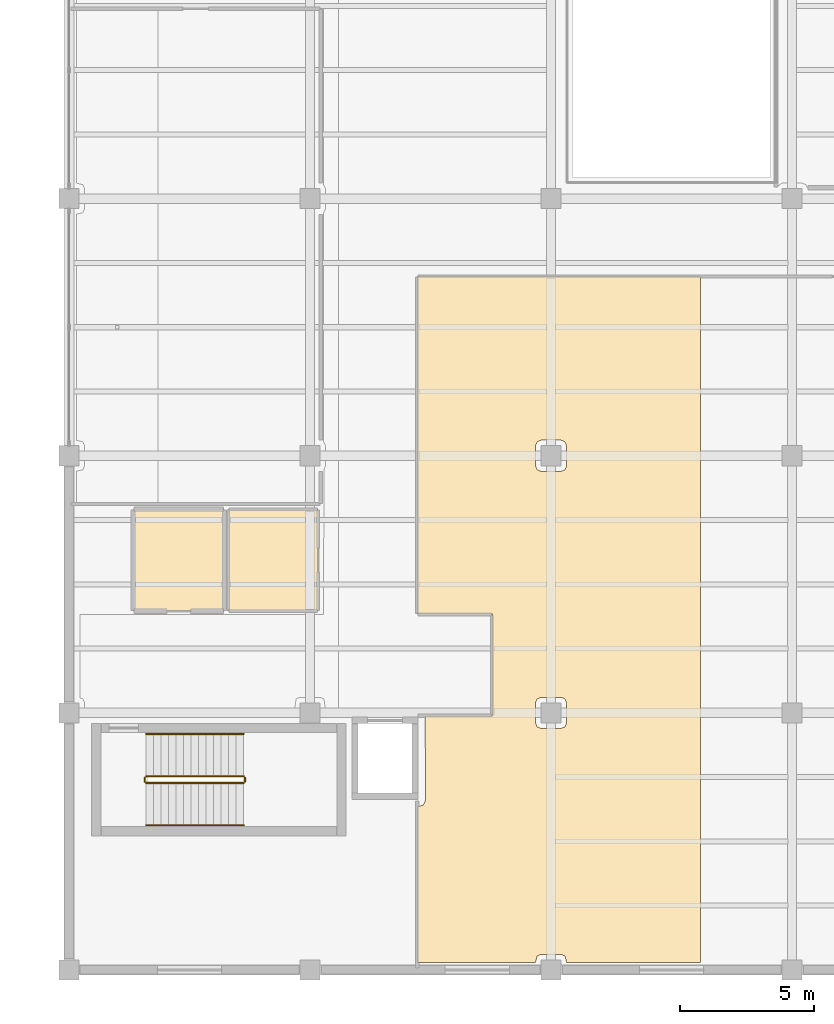
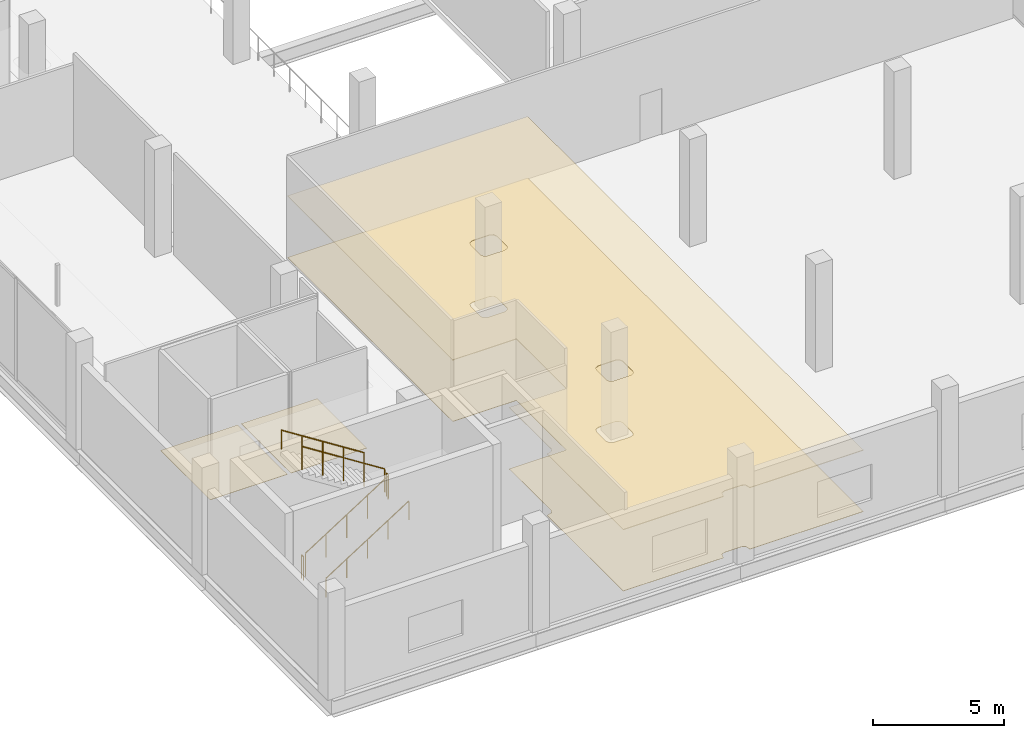
# One storey, part 45 of 47: 6 railings, 4 coverings.
"""IFC4 building model written with IfcOpenShell, lengths in metres."""

from ifc_helpers import new_model, si_unit, direction, frame, origin, origin_2d, place, context, subcontext, project, spatial, polyline, circle, outline, extrude, material, layer, layer_set, type_object, element, save


model = new_model("IFC4")

# Units and contexts
model_context = context("Model", 3, precision=1e-05, world=origin(), true_north=direction((0.0, 1.0)))
body_context = subcontext(model_context, "Body", "Model", "MODEL_VIEW")
ifc_project = project(units=[si_unit("LENGTHUNIT", "METRE"), si_unit("AREAUNIT", "SQUARE_METRE"), si_unit("VOLUMEUNIT", "CUBIC_METRE"), si_unit("PLANEANGLEUNIT", "RADIAN"), si_unit("MASSUNIT", "GRAM", prefix="KILO")], contexts=[model_context])

# Site, building, storey
site_placement = place(None, origin())
site = spatial("IfcSite", under=ifc_project, at=site_placement, CompositionType="ELEMENT")
building_placement = place(site_placement, origin())
building = spatial("IfcBuilding", under=site, at=building_placement, Name="Qorvath Tower", CompositionType="ELEMENT")
storey_placement = place(building_placement, frame((0.0, 0.0, 12.0)))
storey = spatial("IfcBuildingStorey", under=building, at=storey_placement, Name="L02", CompositionType="ELEMENT", Elevation=12.0)

# Coverings
ifc_material_1 = material(Name="Acoustic mineral fibre ceiling tile", Category="gypsum")
ifc_layer_1 = layer(ifc_material_1, 0.030029296875)
ifc_layer_set_1 = layer_set([ifc_layer_1], Name="COV-CEIL")
covering_type_1 = type_object("IfcCoveringType", Name="COV-CEIL", PredefinedType="CEILING", material=ifc_layer_set_1)
covering_1_placement = place(storey_placement, frame((0.0, 0.0, 2.85009765625)))
element("IfcCovering", 1, at=covering_1_placement, inside=storey, type_object=covering_type_1, Name="L02 Suspended Acoustic Ceiling 007", PredefinedType="CEILING", context=body_context, shape_type="SweptSolid", body=[
    extrude(outline(polyline([(55.97509765625, -38.114990234375), (55.97509765625, -12.51025390625), (45.4130859375, -12.512939453125), (45.4130859375, -25.10693359375), (48.21142578125, -25.1083984375), (48.212890625, -28.907958984375), (45.69873046875, -28.9130859375), (45.7099609375, -32.06005859375), (45.63671875, -32.23681640625), (45.405029296875, -32.31005859375), (45.405029296875, -38.114990234375), (49.821044921875, -38.114990234375), (49.878662109375, -37.88232421875), (50.023193359375, -37.8203125), (50.77490234375, -37.820068359375), (50.92138671875, -37.88232421875), (50.97900390625, -38.114990234375), (55.97509765625, -38.114990234375)]), holes=[polyline([(50.921142578125, -28.28173828125), (50.97998046875, -28.425048828125), (50.97998046875, -29.175048828125), (50.918212890625, -29.321044921875), (50.77490234375, -29.3798828125), (50.02490234375, -29.3798828125), (49.87890625, -29.318359375), (49.820068359375, -29.175048828125), (49.820068359375, -28.425048828125), (49.881591796875, -28.279052734375), (50.02490234375, -28.219970703125), (50.77490234375, -28.219970703125), (50.921142578125, -28.28173828125)]), polyline([(50.921142578125, -18.681640625), (50.97998046875, -18.824951171875), (50.97998046875, -19.574951171875), (50.918212890625, -19.720947265625), (50.77490234375, -19.780029296875), (50.02490234375, -19.780029296875), (49.87890625, -19.71826171875), (49.820068359375, -19.574951171875), (49.820068359375, -18.824951171875), (49.881591796875, -18.678955078125), (50.02490234375, -18.6201171875), (50.77490234375, -18.6201171875), (50.921142578125, -18.681640625)])]), origin(), (0.0, 0.0, 1.0), 0.030029296875),
])
ifc_material_2 = material(Name="Low-VOC modular carpet tile", Category="textile")
ifc_layer_2 = layer(ifc_material_2, 0.014892578125)
ifc_layer_set_2 = layer_set([ifc_layer_2], Name="COV-FLOOR-CPT")
covering_type_2 = type_object("IfcCoveringType", Name="COV-FLOOR-CPT", PredefinedType="FLOORING", material=ifc_layer_set_2)
covering_2_placement = place(storey_placement, origin())
element("IfcCovering", 2, at=covering_2_placement, inside=storey, type_object=covering_type_2, Name="L02 Floor Finish 004", PredefinedType="FLOORING", context=body_context, shape_type="SweptSolid", body=[
    extrude(outline(polyline([(38.195068359375, -21.205078125), (34.804931640625, -21.205078125), (34.804931640625, -24.9951171875), (38.195068359375, -24.9951171875), (38.195068359375, -21.205078125)])), origin(), (0.0, 0.0, 1.0), 0.014892578125),
])
covering_3_placement = place(storey_placement, origin())
element("IfcCovering", 3, at=covering_3_placement, inside=storey, type_object=covering_type_2, Name="L02 Floor Finish 007", PredefinedType="FLOORING", context=body_context, shape_type="SweptSolid", body=[
    extrude(outline(polyline([(55.97509765625, -38.114990234375), (55.97509765625, -12.51025390625), (45.4130859375, -12.512939453125), (45.4130859375, -25.10693359375), (48.21142578125, -25.1083984375), (48.212890625, -28.907958984375), (45.69873046875, -28.9130859375), (45.7099609375, -32.06005859375), (45.63671875, -32.23681640625), (45.405029296875, -32.31005859375), (45.405029296875, -38.114990234375), (49.821044921875, -38.114990234375), (49.878662109375, -37.88232421875), (50.023193359375, -37.8203125), (50.77490234375, -37.820068359375), (50.92138671875, -37.88232421875), (50.97900390625, -38.114990234375), (55.97509765625, -38.114990234375)]), holes=[polyline([(50.921142578125, -28.28173828125), (50.97998046875, -28.425048828125), (50.97998046875, -29.175048828125), (50.918212890625, -29.321044921875), (50.77490234375, -29.3798828125), (50.02490234375, -29.3798828125), (49.87890625, -29.318359375), (49.820068359375, -29.175048828125), (49.820068359375, -28.425048828125), (49.881591796875, -28.279052734375), (50.02490234375, -28.219970703125), (50.77490234375, -28.219970703125), (50.921142578125, -28.28173828125)]), polyline([(50.921142578125, -18.681640625), (50.97998046875, -18.824951171875), (50.97998046875, -19.574951171875), (50.918212890625, -19.720947265625), (50.77490234375, -19.780029296875), (50.02490234375, -19.780029296875), (49.87890625, -19.71826171875), (49.820068359375, -19.574951171875), (49.820068359375, -18.824951171875), (49.881591796875, -18.678955078125), (50.02490234375, -18.6201171875), (50.77490234375, -18.6201171875), (50.921142578125, -18.681640625)])]), origin(), (0.0, 0.0, 1.0), 0.014892578125),
])
ifc_material_3 = material(Name="Polished epoxy terrazzo flooring", Category="concrete")
ifc_layer_3 = layer(ifc_material_3, 0.02001953125)
ifc_layer_set_3 = layer_set([ifc_layer_3], Name="COV-FLOOR-TRZ")
covering_type_3 = type_object("IfcCoveringType", Name="COV-FLOOR-TRZ", PredefinedType="FLOORING", material=ifc_layer_set_3)
covering_4_placement = place(storey_placement, origin())
element("IfcCovering", 4, at=covering_4_placement, inside=storey, type_object=covering_type_3, Name="L02 Floor Finish 003", PredefinedType="FLOORING", context=body_context, shape_type="SweptSolid", body=[
    extrude(outline(polyline([(41.695068359375, -21.205078125), (38.35498046875, -21.205078125), (38.35498046875, -24.9951171875), (41.695068359375, -24.9951171875), (41.695068359375, -21.205078125)])), origin(), (0.0, 0.0, 1.0), 0.014892578125),
])

# Railings
ifc_material_4 = material(Name="Painted galvanised steel", Category="steel")
railing_type_1 = type_object("IfcRailingType", Name="RL-STR-GRD", PredefinedType="GUARDRAIL", material=ifc_material_4)
railing_1_placement = place(storey_placement, frame((35.280029296875, -31.419921875, 0.178466796875)))
element("IfcRailing", 5, at=railing_1_placement, inside=storey, type_object=railing_type_1, Name="L02 LS2 stair guard 1", PredefinedType="GUARDRAIL", context=body_context, shape_type="SweptSolid", body=[
    extrude(circle(Radius=0.02392578125, at=origin_2d()), frame((0.0, 0.0, 1.076171875), z_axis=(0.843111507901, 0.0, 0.53773877045), x_axis=(0.0, 1.0, 0.0)), (0.0, 0.0, 1.0), 4.317138671875),
    extrude(circle(Radius=0.02099609375, at=origin_2d()), origin(), (0.0, 0.0, 1.0), 1.052001953125),
    extrude(circle(Radius=0.02099609375, at=origin_2d()), frame((0.909912109375, 0.0, 0.580322265625)), (0.0, 0.0, 1.0), 1.052001953125),
    extrude(circle(Radius=0.02099609375, at=origin_2d()), frame((1.81982421875, 0.0, 1.16064453125)), (0.0, 0.0, 1.0), 1.052001953125),
    extrude(circle(Radius=0.02099609375, at=origin_2d()), frame((2.72998046875, 0.0, 1.7412109375)), (0.0, 0.0, 1.0), 1.052001953125),
    extrude(circle(Radius=0.02099609375, at=origin_2d()), frame((3.639892578125, 0.0, 2.321533203125)), (0.0, 0.0, 1.0), 1.052001953125),
])
railing_2_placement = place(storey_placement, frame((38.969970703125, -31.3701171875, 2.5)))
element("IfcRailing", 6, at=railing_2_placement, inside=storey, type_object=railing_type_1, Name="L02 LS2 stair guard 2", PredefinedType="GUARDRAIL", context=body_context, shape_type="SweptSolid", body=[
    extrude(circle(Radius=0.02392578125, at=origin_2d()), frame((0.0, 0.0, 1.076171875), z_axis=(0.0, 1.0, 0.0), x_axis=(-1.0, 0.0, 0.0)), (0.0, 0.0, 1.0), 0.150146484375),
    extrude(circle(Radius=0.02099609375, at=origin_2d()), origin(), (0.0, 0.0, 1.0), 1.052001953125),
    extrude(circle(Radius=0.02099609375, at=origin_2d()), frame((0.0, 0.150146484375, 0.0)), (0.0, 0.0, 1.0), 1.052001953125),
])
railing_3_placement = place(storey_placement, frame((38.919921875, -31.169921875, 2.678466796875)))
element("IfcRailing", 7, at=railing_3_placement, inside=storey, type_object=railing_type_1, Name="L02 LS2 stair guard 3", PredefinedType="GUARDRAIL", context=body_context, shape_type="SweptSolid", body=[
    extrude(circle(Radius=0.02392578125, at=origin_2d()), frame((0.0, 0.0, 1.076171875), z_axis=(-0.843111507901, 0.0, 0.53773877045), x_axis=(0.0, -1.0, 0.0)), (0.0, 0.0, 1.0), 4.317138671875),
    extrude(circle(Radius=0.02099609375, at=origin_2d()), origin(), (0.0, 0.0, 1.0), 1.052001953125),
    extrude(circle(Radius=0.02099609375, at=origin_2d()), frame((-0.909912109375, 0.0, 0.580322265625)), (0.0, 0.0, 1.0), 1.052001953125),
    extrude(circle(Radius=0.02099609375, at=origin_2d()), frame((-1.81982421875, 0.0, 1.16064453125)), (0.0, 0.0, 1.0), 1.052001953125),
    extrude(circle(Radius=0.02099609375, at=origin_2d()), frame((-2.72998046875, 0.0, 1.7412109375)), (0.0, 0.0, 1.0), 1.052001953125),
    extrude(circle(Radius=0.02099609375, at=origin_2d()), frame((-3.639892578125, 0.0, 2.321533203125)), (0.0, 0.0, 1.0), 1.052001953125),
])
railing_4_placement = place(storey_placement, frame((35.22998046875, -31.3701171875, 0.0)))
element("IfcRailing", 8, at=railing_4_placement, inside=storey, type_object=railing_type_1, Name="L02 LS2 stair guard 4", PredefinedType="GUARDRAIL", context=body_context, shape_type="SweptSolid", body=[
    extrude(circle(Radius=0.02392578125, at=origin_2d()), frame((0.0, 0.0, 1.076171875), z_axis=(0.0, 1.0, 0.0), x_axis=(-1.0, 0.0, 0.0)), (0.0, 0.0, 1.0), 0.150146484375),
    extrude(circle(Radius=0.02099609375, at=origin_2d()), origin(), (0.0, 0.0, 1.0), 1.052001953125),
    extrude(circle(Radius=0.02099609375, at=origin_2d()), frame((0.0, 0.150146484375, 0.0)), (0.0, 0.0, 1.0), 1.052001953125),
])
ifc_material_5 = material(Name="Brushed stainless steel AISI 304", Category="steel")
railing_type_2 = type_object("IfcRailingType", Name="RL-STR-HND", PredefinedType="HANDRAIL", material=ifc_material_5)
railing_5_placement = place(storey_placement, frame((35.280029296875, -33.0, 0.178466796875)))
element("IfcRailing", 9, at=railing_5_placement, inside=storey, type_object=railing_type_2, Name="L02 LS2 stair handrail 1", PredefinedType="HANDRAIL", context=body_context, shape_type="SweptSolid", body=[
    extrude(circle(Radius=0.02392578125, at=origin_2d()), frame((0.0, 0.0, 0.8759765625), z_axis=(0.843111507901, 0.0, 0.53773877045), x_axis=(0.0, 1.0, 0.0)), (0.0, 0.0, 1.0), 4.317138671875),
    extrude(circle(Radius=0.02099609375, at=origin_2d()), origin(), (0.0, 0.0, 1.0), 0.851806640625),
    extrude(circle(Radius=0.02099609375, at=origin_2d()), frame((0.909912109375, 0.0, 0.580322265625)), (0.0, 0.0, 1.0), 0.851806640625),
    extrude(circle(Radius=0.02099609375, at=origin_2d()), frame((1.81982421875, 0.0, 1.16064453125)), (0.0, 0.0, 1.0), 0.851806640625),
    extrude(circle(Radius=0.02099609375, at=origin_2d()), frame((2.72998046875, 0.0, 1.7412109375)), (0.0, 0.0, 1.0), 0.851806640625),
    extrude(circle(Radius=0.02099609375, at=origin_2d()), frame((3.639892578125, 0.0, 2.321533203125)), (0.0, 0.0, 1.0), 0.851806640625),
])
railing_6_placement = place(storey_placement, frame((38.919921875, -29.590087890625, 2.678466796875)))
element("IfcRailing", 10, at=railing_6_placement, inside=storey, type_object=railing_type_2, Name="L02 LS2 stair handrail 2", PredefinedType="HANDRAIL", context=body_context, shape_type="SweptSolid", body=[
    extrude(circle(Radius=0.02392578125, at=origin_2d()), frame((0.0, 0.0, 0.8759765625), z_axis=(-0.843111507901, 0.0, 0.53773877045), x_axis=(0.0, -1.0, 0.0)), (0.0, 0.0, 1.0), 4.317138671875),
    extrude(circle(Radius=0.02099609375, at=origin_2d()), origin(), (0.0, 0.0, 1.0), 0.851806640625),
    extrude(circle(Radius=0.02099609375, at=origin_2d()), frame((-0.909912109375, 0.0, 0.580322265625)), (0.0, 0.0, 1.0), 0.851806640625),
    extrude(circle(Radius=0.02099609375, at=origin_2d()), frame((-1.81982421875, 0.0, 1.16064453125)), (0.0, 0.0, 1.0), 0.851806640625),
    extrude(circle(Radius=0.02099609375, at=origin_2d()), frame((-2.72998046875, 0.0, 1.7412109375)), (0.0, 0.0, 1.0), 0.851806640625),
    extrude(circle(Radius=0.02099609375, at=origin_2d()), frame((-3.639892578125, 0.0, 2.321533203125)), (0.0, 0.0, 1.0), 0.851806640625),
])

save(model, "model.ifc")
